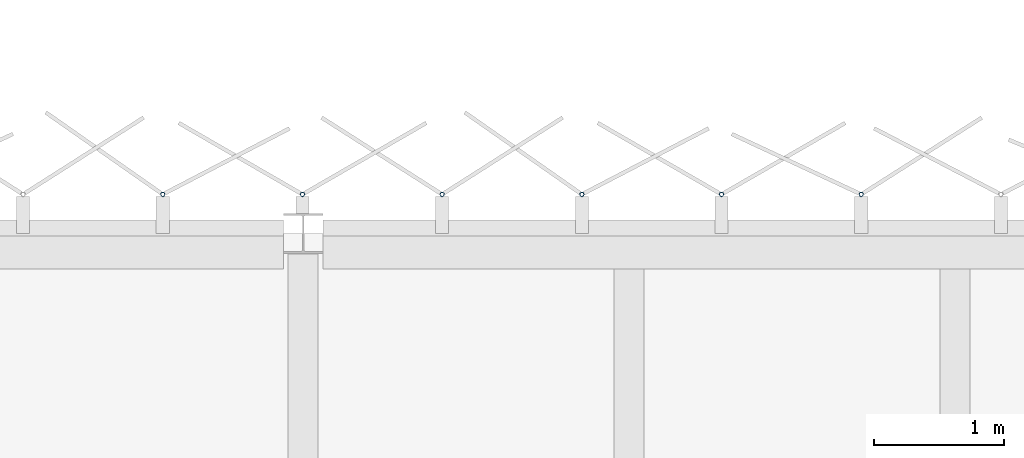
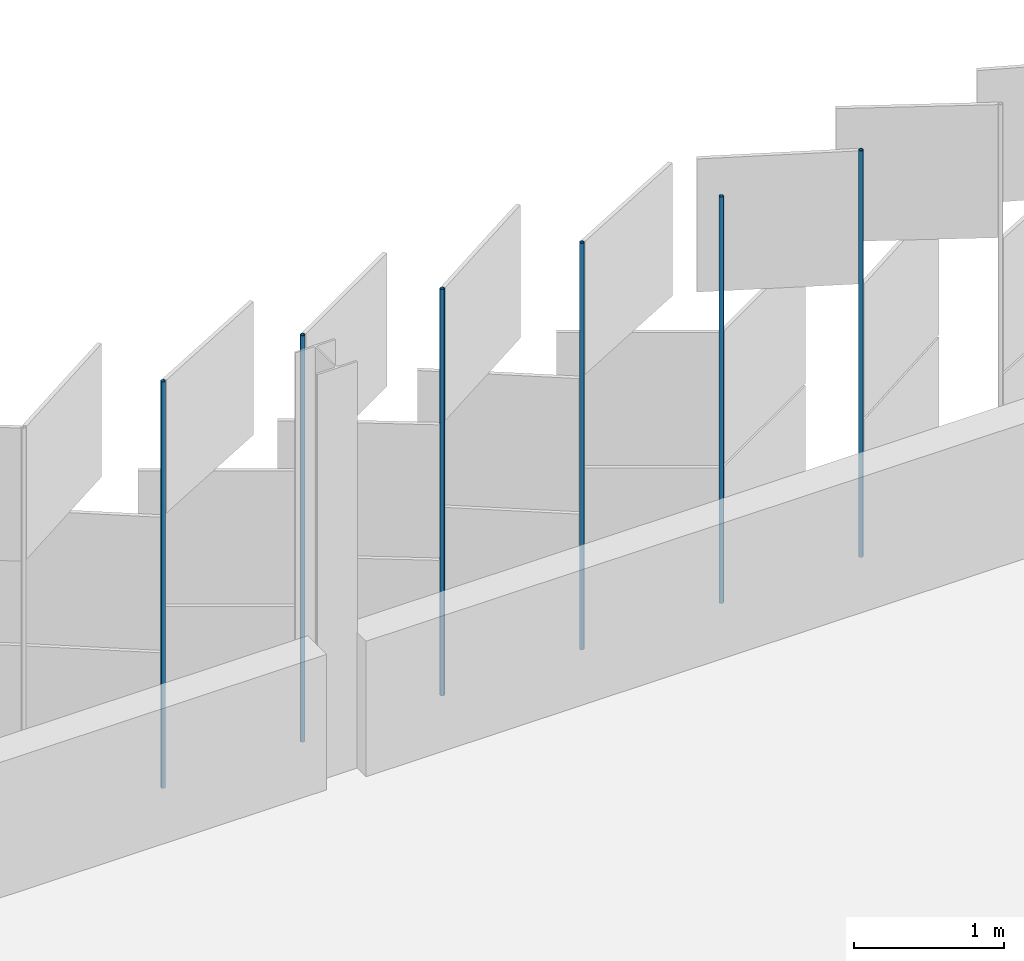
# One storey, part 147 of 198: 6 discrete accessories.
"""IFC4 building model written with IfcOpenShell, lengths in metres."""

from ifc_helpers import new_model, si_unit, direction, frame, origin, origin_2d, place, context, subcontext, project, spatial, hollow_circle, extrude, material, material_profile, profile_set, type_object, element, save


model = new_model("IFC4")

# Units and contexts
model_context = context("Model", 3, precision=1e-05, world=origin(), true_north=direction((0.0, 1.0)))
body_context = subcontext(model_context, "Body", "Model", "MODEL_VIEW")
ifc_project = project(units=[si_unit("LENGTHUNIT", "METRE"), si_unit("AREAUNIT", "SQUARE_METRE"), si_unit("VOLUMEUNIT", "CUBIC_METRE"), si_unit("PLANEANGLEUNIT", "RADIAN"), si_unit("MASSUNIT", "GRAM", prefix="KILO")], contexts=[model_context])

# Site, building, storey
site_placement = place(None, origin())
site = spatial("IfcSite", under=ifc_project, at=site_placement, CompositionType="ELEMENT")
building_placement = place(site_placement, origin())
building = spatial("IfcBuilding", under=site, at=building_placement, Name="Parallax Yard Mobility Hub", CompositionType="ELEMENT")
storey_placement = place(building_placement, frame((0.0, 0.0, 6.60009765625)))
storey = spatial("IfcBuildingStorey", under=building, at=storey_placement, Name="L02", CompositionType="ELEMENT", Elevation=6.60009765625)

# Discrete accessories
ifc_material = material(Name="Steel ASTM A500 Gr C, hot-dip galvanised", Category="steel")
ifc_material_profile = material_profile(ifc_material, hollow_circle(Radius=0.016845703125, WallThickness=0.003173828125, at=origin_2d()), Name="CHS 33.7x3.2")
ifc_profile_set = profile_set([ifc_material_profile], Name="Steel ASTM A500 Gr C, hot-dip galvanised")
discrete_accessory_type = type_object("IfcDiscreteAccessoryType", Name="Hinge post CHS 33.7x3.2", PredefinedType="BRACKET", material=ifc_profile_set)
for number, where, z_axis, x_axis, name in (
    (1, (116.781005859375, 142.800048828125, 0.0), (0.0, 0.0, 1.0), (1.0, 0.0, 0.0), "Hinge post bay 58.4 level L02"),
    (2, (115.70947265625, 142.800048828125, 0.0), (0.0, 0.0, 1.0), (1.0, 0.0, 0.0), "Hinge post bay 58.5 level L02"),
    (3, (114.637939453125, 142.800048828125, 0.0), (0.0, 0.0, 1.0), (1.0, 0.0, 0.0), "Hinge post bay 58.6 level L02"),
    (4, (113.56640625, 142.800048828125, 0.0), (0.0, 0.0, 1.0), (1.0, 0.0, 0.0), "Hinge post bay 58.7 level L02"),
    (5, (112.494873046875, 142.800048828125, 0.0), (0.0, 0.0, 1.0), (1.0, 0.0, 0.0), "Hinge post bay 59.1 level L02"),
    (6, (111.423095703125, 142.800048828125, 0.0), (0.0, 0.0, 1.0), (1.0, 0.0, 0.0), "Hinge post bay 59.2 level L02"),
):
    element("IfcDiscreteAccessory", number, at=place(storey_placement, frame(where, z_axis=z_axis, x_axis=x_axis)), inside=storey, type_object=discrete_accessory_type, Name=name, PredefinedType="BRACKET", context=body_context, shape_type="SweptSolid", body=[
        extrude(hollow_circle(Radius=0.016845703125, WallThickness=0.003173828125, at=origin_2d()), origin(), (0.0, 0.0, 1.0), 3.2998046875),
    ])

save(model, "model.ifc")
